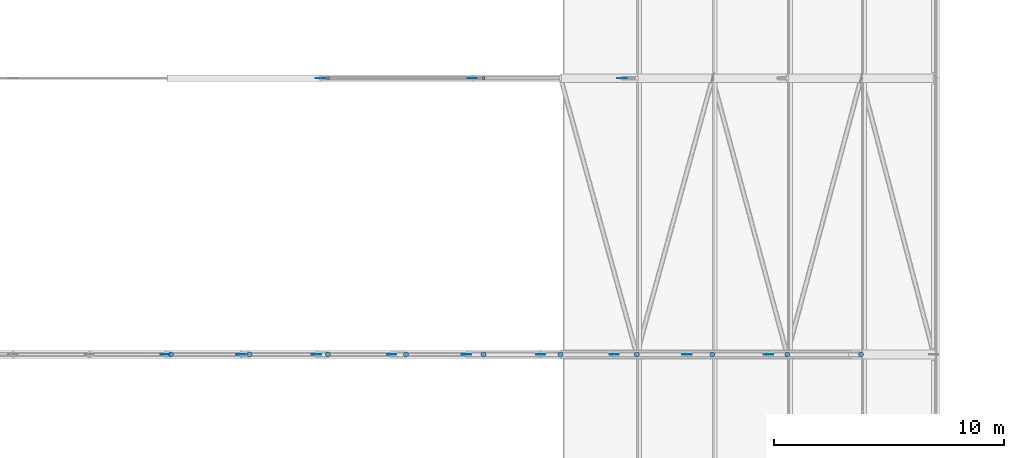
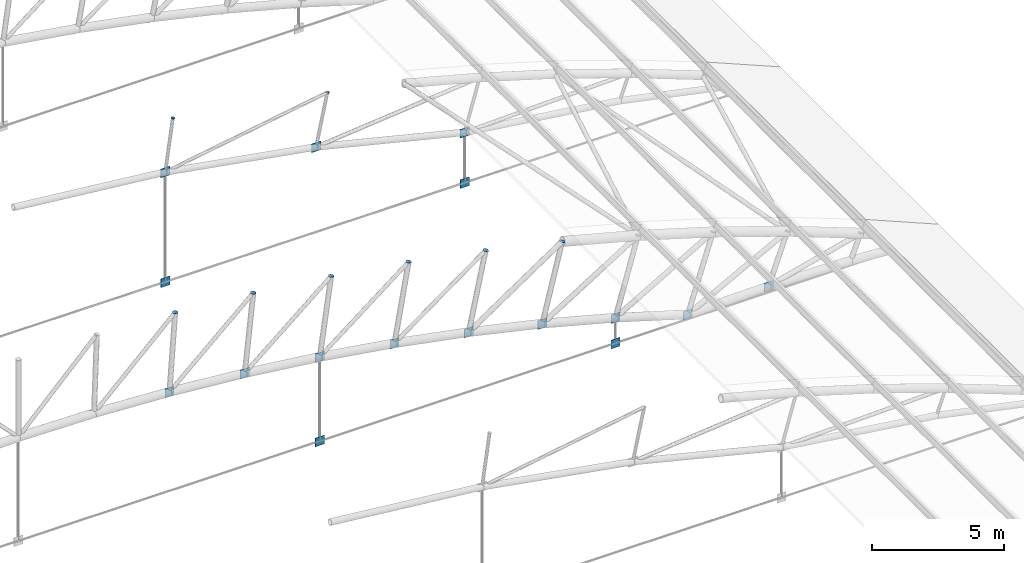
# One storey, part 299 of 321: 28 discrete accessories.
"""IFC4 building model written with IfcOpenShell, lengths in metres."""

from ifc_helpers import new_model, si_unit, direction, frame, origin, origin_2d, place, context, subcontext, project, spatial, rectangle, circle, extrude, material, material_profile, profile_set, type_object, element, save


model = new_model("IFC4")

# Units and contexts
model_context = context("Model", 3, precision=1e-05, world=origin(), true_north=direction((0.0, 1.0)))
body_context = subcontext(model_context, "Body", "Model", "MODEL_VIEW")
ifc_project = project(units=[si_unit("LENGTHUNIT", "METRE"), si_unit("AREAUNIT", "SQUARE_METRE"), si_unit("VOLUMEUNIT", "CUBIC_METRE"), si_unit("PLANEANGLEUNIT", "RADIAN"), si_unit("MASSUNIT", "GRAM", prefix="KILO")], contexts=[model_context])

# Site, building, storey
site_placement = place(None, origin())
site = spatial("IfcSite", under=ifc_project, at=site_placement, CompositionType="ELEMENT")
building_placement = place(site_placement, origin())
building = spatial("IfcBuilding", under=site, at=building_placement, Name="Ravi Spectrum Wholesale Market", CompositionType="ELEMENT")
storey_placement = place(building_placement, frame((0.0, 0.0, 10.800048828125)))
storey = spatial("IfcBuildingStorey", under=building, at=storey_placement, Name="L02", CompositionType="ELEMENT", Elevation=10.800048828125)

# Discrete accessories
ifc_material_1 = material(Name="Steel S355", Category="steel")
ifc_material_profile_1 = material_profile(ifc_material_1, circle(Radius=0.06982421875, at=origin_2d()))
ifc_profile_set_1 = profile_set([ifc_material_profile_1], Name="Steel S355")
discrete_accessory_type_1 = type_object("IfcDiscreteAccessoryType", Name="End plate CHS 139.7x5", PredefinedType="BRACKET", material=ifc_profile_set_1)
for number, where, z_axis, x_axis, name in (
    (1, (83.681884765625, 162.0, 7.479736328125), (0.141421356237, 0.0, 0.989949493661), (0.0, 1.0, 0.0), "End plate"),
    (2, (90.44140625, 162.0, 6.30224609375), (0.203954254112, 0.0, 0.978980419738), (0.0, 1.0, 0.0), "End plate"),
):
    element("IfcDiscreteAccessory", number, at=place(storey_placement, frame(where, z_axis=z_axis, x_axis=x_axis)), inside=storey, type_object=discrete_accessory_type_1, Name=name, PredefinedType="BRACKET", context=body_context, shape_type="SweptSolid", body=[
        extrude(circle(Radius=0.06982421875, at=origin_2d()), origin(), (0.0, 0.0, 1.0), 0.011962890625),
    ])
ifc_material_2 = material(Name="Steel S355", Category="steel")
ifc_material_profile_2 = material_profile(ifc_material_2, circle(Radius=0.109619140625, at=origin_2d()))
ifc_profile_set_2 = profile_set([ifc_material_profile_2], Name="Steel S355")
discrete_accessory_type_2 = type_object("IfcDiscreteAccessoryType", Name="End plate CHS 219.1x8", PredefinedType="BRACKET", material=ifc_profile_set_2)
for number, where, z_axis, x_axis, name in (
    (3, (76.85546875, 150.0, 8.163330078125), (0.081362009455, 0.0, 0.996684615823), (0.0, 1.0, 0.0), "End plate"),
    (4, (80.273193359375, 150.0, 7.867919921875), (0.101513688013, 0.0, 0.994834142531), (0.0, 1.0, 0.0), "End plate"),
    (5, (83.678466796875, 150.0, 7.45458984375), (0.141421356237, 0.0, 0.989949493661), (0.0, 1.0, 0.0), "End plate"),
    (6, (87.0673828125, 150.0, 6.92431640625), (0.18428853505, 0.0, 0.982872186934), (0.0, 1.0, 0.0), "End plate"),
    (7, (90.436279296875, 150.0, 6.27734375), (0.203954254112, 0.0, 0.978980419738), (0.0, 1.0, 0.0), "End plate"),
    (8, (93.78076171875, 150.0, 5.514404296875), (0.223376156329, 0.0, 0.974732318528), (0.0, 1.0, 0.0), "End plate"),
):
    element("IfcDiscreteAccessory", number, at=place(storey_placement, frame(where, z_axis=z_axis, x_axis=x_axis)), inside=storey, type_object=discrete_accessory_type_2, Name=name, PredefinedType="BRACKET", context=body_context, shape_type="SweptSolid", body=[
        extrude(circle(Radius=0.109619140625, at=origin_2d()), origin(), (0.0, 0.0, 1.0), 0.011962890625),
    ])
discrete_accessory_1_placement = place(storey_placement, frame((97.096923828125, 150.0, 4.63671875), z_axis=(0.261415475728, 0.0, 0.96522637192), x_axis=(0.0, 1.0, 0.0)))
element("IfcDiscreteAccessory", 9, at=discrete_accessory_1_placement, inside=storey, type_object=discrete_accessory_type_2, Name="End plate", PredefinedType="BRACKET", context=body_context, shape_type="SweptSolid", body=[
    extrude(circle(Radius=0.109619140625, at=origin_2d()), origin(), (0.0, 0.0, 1.0), 0.01220703125),
])
for number, where, z_axis, x_axis, name in (
    (10, (100.380615234375, 150.0, 3.645263671875), (0.304040173793, 0.0, 0.952659211219), (0.0, 1.0, 0.0), "End plate"),
    (11, (103.62841796875, 150.0, 2.541015625), (0.346650140872, 0.0, 0.937994498829), (0.0, 1.0, 0.0), "End plate"),
    (12, (106.836181640625, 150.0, 1.325439453125), (0.364399348581, 0.0, 0.931242779706), (0.0, 1.0, 0.0), "End plate"),
):
    element("IfcDiscreteAccessory", number, at=place(storey_placement, frame(where, z_axis=z_axis, x_axis=x_axis)), inside=storey, type_object=discrete_accessory_type_2, Name=name, PredefinedType="BRACKET", context=body_context, shape_type="SweptSolid", body=[
        extrude(circle(Radius=0.109619140625, at=origin_2d()), origin(), (0.0, 0.0, 1.0), 0.011962890625),
    ])
ifc_material_3 = material(Name="Steel S355", Category="steel")
ifc_material_profile_3 = material_profile(ifc_material_3, rectangle(XDim=0.39990234375, YDim=0.02001953125, at=origin_2d()))
ifc_profile_set_3 = profile_set([ifc_material_profile_3], Name="Steel S355")
discrete_accessory_type_3 = type_object("IfcDiscreteAccessoryType", Name="Gusset plate 400x400x20", PredefinedType="BRACKET", material=ifc_profile_set_3)
discrete_accessory_2_placement = place(storey_placement, frame((76.607421875, 150.0, 4.371826171875), z_axis=(0.0, 0.0, 1.0), x_axis=(-1.0, 0.0, 0.0)))
element("IfcDiscreteAccessory", 13, at=discrete_accessory_2_placement, inside=storey, type_object=discrete_accessory_type_3, Name="Gusset plate", PredefinedType="BRACKET", context=body_context, shape_type="SweptSolid", body=[
    extrude(rectangle(XDim=0.39990234375, YDim=0.02001953125, at=origin_2d()), origin(), (0.0, 0.0, 1.0), 0.400146484375),
])
for number, where, z_axis, x_axis, name in (
    (14, (79.901123046875, 150.0, 4.087158203125), (0.0, 0.0, 1.0), (-1.0, 0.0, 0.0), "Gusset plate"),
    (15, (83.18310546875, 150.0, -0.199951171875), (0.0, 0.0, 1.0), (1.0, 0.0, 0.0), "Gusset plate"),
    (16, (83.18310546875, 150.0, 3.68896484375), (0.0, 0.0, 1.0), (-1.0, 0.0, 0.0), "Gusset plate"),
    (17, (83.351806640625, 162.0, -0.1767578125), (0.0, 0.0, 1.0), (1.0, 0.0, 0.0), "Gusset plate"),
):
    element("IfcDiscreteAccessory", number, at=place(storey_placement, frame(where, z_axis=z_axis, x_axis=x_axis)), inside=storey, type_object=discrete_accessory_type_3, Name=name, PredefinedType="BRACKET", context=body_context, shape_type="SweptSolid", body=[
        extrude(rectangle(XDim=0.39990234375, YDim=0.02001953125, at=origin_2d()), origin(), (0.0, 0.0, 1.0), 0.39990234375),
    ])
discrete_accessory_3_placement = place(storey_placement, frame((83.351806640625, 162.0, 4.902587890625), z_axis=(0.0, 0.0, 1.0), x_axis=(-1.0, 0.0, 0.0)))
element("IfcDiscreteAccessory", 18, at=discrete_accessory_3_placement, inside=storey, type_object=discrete_accessory_type_3, Name="Gusset plate", PredefinedType="BRACKET", context=body_context, shape_type="SweptSolid", body=[
    extrude(rectangle(XDim=0.39990234375, YDim=0.02001953125, at=origin_2d()), origin(), (0.0, 0.0, 1.0), 0.400146484375),
])
for number, where, z_axis, x_axis, name in (
    (19, (86.44970703125, 150.0, 3.177734375), (0.0, 0.0, 1.0), (-1.0, 0.0, 0.0), "Gusset plate"),
    (20, (89.6962890625, 150.0, 2.55419921875), (0.0, 0.0, 1.0), (-1.0, 0.0, 0.0), "Gusset plate"),
    (21, (89.9482421875, 162.0, 3.75341796875), (0.0, 0.0, 1.0), (-1.0, 0.0, 0.0), "Gusset plate"),
    (22, (92.919677734375, 150.0, 1.819091796875), (0.0, 0.0, 1.0), (-1.0, 0.0, 0.0), "Gusset plate"),
    (23, (96.11572265625, 150.0, -0.199951171875), (0.0, 0.0, 1.0), (1.0, 0.0, 0.0), "Gusset plate"),
    (24, (96.11572265625, 150.0, 0.97314453125), (0.0, 0.0, 1.0), (-1.0, 0.0, 0.0), "Gusset plate"),
    (25, (96.44970703125, 162.0, -0.1767578125), (0.0, 0.0, 1.0), (1.0, 0.0, 0.0), "Gusset plate"),
    (26, (96.44970703125, 162.0, 2.152099609375), (0.0, 0.0, 1.0), (-1.0, 0.0, 0.0), "Gusset plate"),
):
    element("IfcDiscreteAccessory", number, at=place(storey_placement, frame(where, z_axis=z_axis, x_axis=x_axis)), inside=storey, type_object=discrete_accessory_type_3, Name=name, PredefinedType="BRACKET", context=body_context, shape_type="SweptSolid", body=[
        extrude(rectangle(XDim=0.39990234375, YDim=0.02001953125, at=origin_2d()), origin(), (0.0, 0.0, 1.0), 0.39990234375),
    ])
discrete_accessory_4_placement = place(storey_placement, frame((99.28076171875, 150.0, 0.017333984375), z_axis=(0.0, 0.0, 1.0), x_axis=(-1.0, 0.0, 0.0)))
element("IfcDiscreteAccessory", 27, at=discrete_accessory_4_placement, inside=storey, type_object=discrete_accessory_type_3, Name="Gusset plate", PredefinedType="BRACKET", context=body_context, shape_type="SweptSolid", body=[
    extrude(rectangle(XDim=0.39990234375, YDim=0.02001953125, at=origin_2d()), origin(), (0.0, 0.0, 1.0), 0.400146484375),
])
discrete_accessory_5_placement = place(storey_placement, frame((102.81689453125, 150.0, 0.08251953125), z_axis=(0.0, 0.0, 1.0), x_axis=(-1.0, 0.0, 0.0)))
element("IfcDiscreteAccessory", 28, at=discrete_accessory_5_placement, inside=storey, type_object=discrete_accessory_type_3, Name="Gusset plate", PredefinedType="BRACKET", context=body_context, shape_type="SweptSolid", body=[
    extrude(rectangle(XDim=0.39990234375, YDim=0.02001953125, at=origin_2d()), origin(), (0.0, 0.0, 1.0), 0.39990234375),
])

save(model, "model.ifc")
